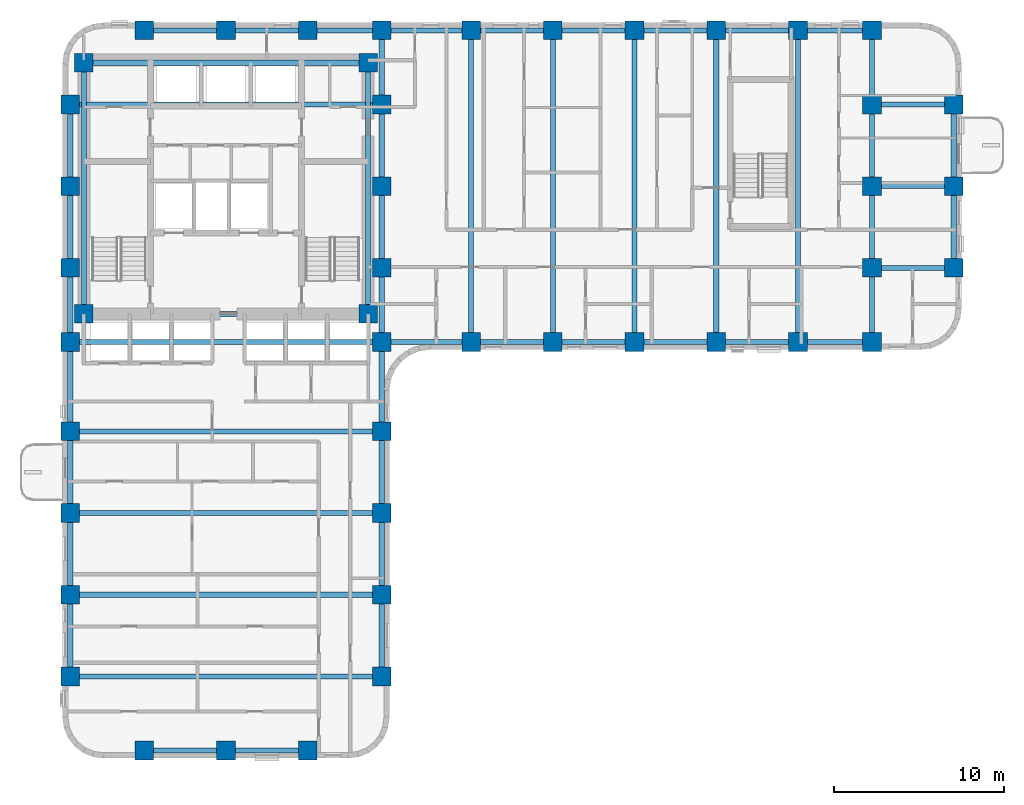
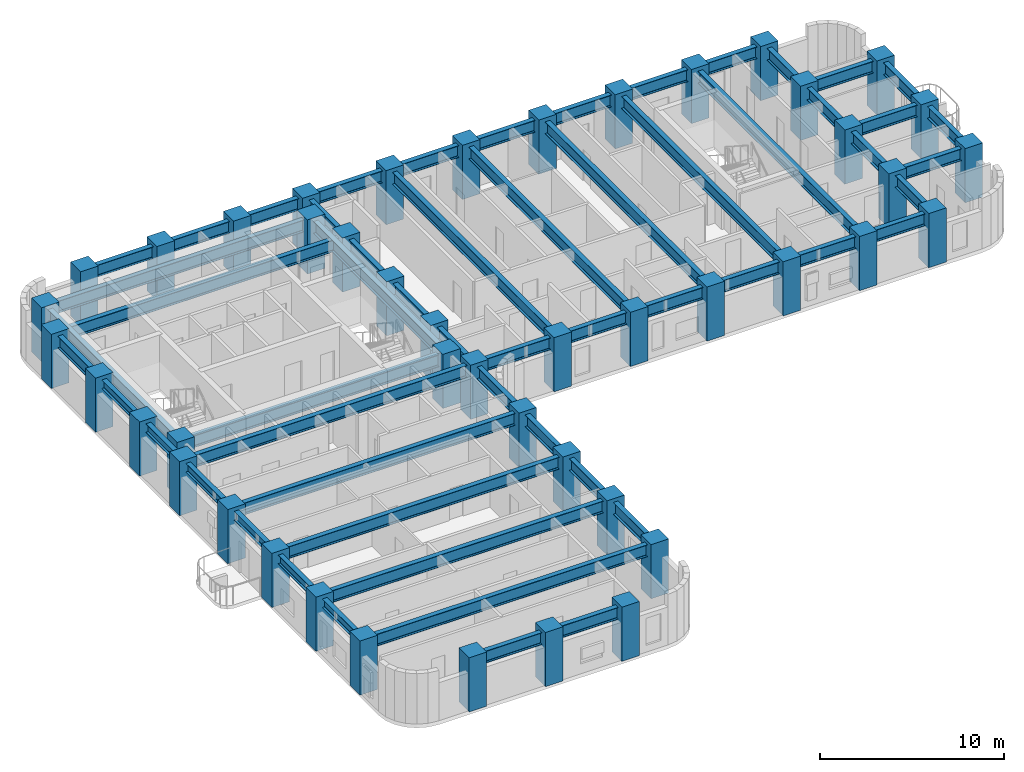
# One storey, part 1 of 11: 56 beams, 45 columns.
"""IFC4 building model written with IfcOpenShell, lengths in metres."""

import ifcopenshell
import ifcopenshell.guid

model = None  # the IFC model being written
_history = None  # IfcOwnerHistory: only IFC2X3 demands one
_inside = {}  # id of a spatial element -> (the spatial element, [elements in it])
_under = {}  # id of a project, library or spatial element -> (it, [spatial elements below it])
_declared = {}  # id of a project -> (the project, [libraries it declares])
_typed = {}  # id of a type object -> (the type object, [elements of that type])
_made_of = {}  # id of a material, layer set ... -> (it, [elements and type objects made of it])


def new_model(schema):
    """Start an empty IFC model of exactly this schema.

    Asked for "IFC4X3", IfcOpenShell would pick the latest addendum, in which some entities
    have other attributes; the version numbers below select the first issue.
    IFC2X3 requires an IfcOwnerHistory on every rooted entity: one is made here for all.
    """
    global model, _history
    if schema == "IFC4X3":
        model = ifcopenshell.file(schema_version=(4, 3, 0, 0))
    else:
        model = ifcopenshell.file(schema=schema)
    _inside.clear()
    _under.clear()
    _declared.clear()
    _typed.clear()
    _made_of.clear()
    _history = None
    if model.schema == "IFC2X3":
        org = make("IfcOrganization", Name="unknown")
        user = make(
            "IfcPersonAndOrganization",
            ThePerson=make("IfcPerson", FamilyName="unknown"),
            TheOrganization=org,
        )
        app = make(
            "IfcApplication",
            ApplicationDeveloper=org,
            Version="unknown",
            ApplicationFullName="unknown",
            ApplicationIdentifier="unknown",
        )
        _history = make(
            "IfcOwnerHistory",
            OwningUser=user,
            OwningApplication=app,
            ChangeAction="ADDED",
            CreationDate=0,
        )
    return model


def make(cls, **values):
    """One entity of the class cls with the attributes given. An attribute that is None is left unset."""
    return model.create_entity(
        cls, **{name: value for name, value in values.items() if value is not None}
    )


def rooted(cls, **values):
    """An entity with a GlobalId (a new one), such as an element, a storey or a relation."""
    return make(cls, GlobalId=ifcopenshell.guid.new(), OwnerHistory=_history, **values)


def si_unit(unit_type, name, prefix=None):
    """IfcSIUnit, for example si_unit("LENGTHUNIT", "METRE", prefix="MILLI")."""
    return make("IfcSIUnit", UnitType=unit_type, Prefix=prefix, Name=name)


def assignment(units):
    """IfcUnitAssignment: the units of a project."""
    return None if units is None else make("IfcUnitAssignment", Units=units)


def point(xyz):
    """IfcCartesianPoint."""
    return None if xyz is None else make("IfcCartesianPoint", Coordinates=xyz)


def direction(xyz):
    """IfcDirection."""
    return None if xyz is None else make("IfcDirection", DirectionRatios=xyz)


def frame(location, z_axis=None, x_axis=None):
    """IfcAxis2Placement3D, a coordinate frame: its origin and axes. An axis left out is left unset."""
    return make(
        "IfcAxis2Placement3D",
        Location=point(location),
        Axis=direction(z_axis),
        RefDirection=direction(x_axis),
    )


def frame_2d(location, x_axis=None):
    """IfcAxis2Placement2D, a coordinate frame in the plane: its origin and x axis."""
    return make(
        "IfcAxis2Placement2D", Location=point(location), RefDirection=direction(x_axis)
    )


def origin():
    """The frame at (0, 0, 0) with its axes left unset."""
    return frame((0.0, 0.0, 0.0))


def origin_2d():
    """The frame at (0, 0) in the plane with its x axis left unset."""
    return frame_2d((0.0, 0.0))


def place(relative_to, where):
    """IfcLocalPlacement: puts the frame where relative to a parent placement (None: the world)."""
    return make(
        "IfcLocalPlacement", PlacementRelTo=relative_to, RelativePlacement=where
    )


def context(
    kind, dimensions, precision=None, world=None, true_north=None, identifier=None
):
    """IfcGeometricRepresentationContext, for example the 3D "Model" context."""
    return make(
        "IfcGeometricRepresentationContext",
        ContextIdentifier=identifier,
        ContextType=kind,
        CoordinateSpaceDimension=dimensions,
        Precision=precision,
        WorldCoordinateSystem=world,
        TrueNorth=true_north,
    )


def subcontext(parent, identifier, kind, view, scale=None):
    """IfcGeometricRepresentationSubContext, for example "Body" below "Model"."""
    return make(
        "IfcGeometricRepresentationSubContext",
        ContextIdentifier=identifier,
        ContextType=kind,
        ParentContext=parent,
        TargetScale=scale,
        TargetView=view,
    )


def project(units=None, contexts=None):
    """IfcProject with its units and contexts."""
    return rooted(
        "IfcProject",
        Name="project",
        RepresentationContexts=contexts,
        UnitsInContext=assignment(units),
    )


def spatial(cls, under=None, at=None, **own):
    """A site, building, storey or space (cls), placed at a placement, below another one or the project."""
    s = rooted(cls, ObjectPlacement=at, **own)
    if under is not None:
        _under.setdefault(under.id(), (under, []))[1].append(s)
    return s


def profile(cls, at=None, kind="AREA", **sizes):
    """A parametric profile (cls). Its sizes go by their IFC names, for example OverallWidth=200.0."""
    return make(cls, ProfileType=kind, Position=at, **sizes)


def rectangle(**sizes):
    """IfcRectangleProfileDef."""
    return profile("IfcRectangleProfileDef", **sizes)


def i_section(**sizes):
    """IfcIShapeProfileDef."""
    return profile("IfcIShapeProfileDef", **sizes)


def extrude(swept, where, along, depth):
    """IfcExtrudedAreaSolid: the profile swept, set in the frame where, extruded along a direction by depth."""
    return make(
        "IfcExtrudedAreaSolid",
        SweptArea=swept,
        Position=where,
        ExtrudedDirection=direction(along),
        Depth=depth,
    )


def shape(context_of_items, identifier, shape_type, items):
    """IfcShapeRepresentation: the items that make up one representation, for example the "Body"."""
    return make(
        "IfcShapeRepresentation",
        ContextOfItems=context_of_items,
        RepresentationIdentifier=identifier,
        RepresentationType=shape_type,
        Items=items,
    )


def material(Name=None, Category=None):
    """IfcMaterial."""
    return make("IfcMaterial", Name=Name, Category=Category)


def material_profile(
    of_material, cross_section, Name=None, Category=None, Priority=None
):
    """IfcMaterialProfile: a cross section and its material."""
    return make(
        "IfcMaterialProfile",
        Name=Name,
        Material=of_material,
        Profile=cross_section,
        Priority=Priority,
        Category=Category,
    )


def profile_set(profiles, Name=None, composite=None):
    """IfcMaterialProfileSet."""
    return make(
        "IfcMaterialProfileSet",
        Name=Name,
        MaterialProfiles=profiles,
        CompositeProfile=composite,
    )


def made_of(thing, what):
    """Note that an element or type object is made of a material, layer set ...; save() writes the relation."""
    if what is not None:
        _made_of.setdefault(what.id(), (what, []))[1].append(thing)
    return thing


def type_object(cls, material=None, **own):
    """A type object (cls), such as IfcWallType, which elements share."""
    return made_of(rooted(cls, **own), material)


def element(
    cls,
    number,
    at=None,
    inside=None,
    cuts=None,
    type_object=None,
    material=None,
    context=None,
    identifier="Body",
    shape_type=None,
    held_by="IfcProductDefinitionShape",
    body=None,
    shapes=None,
    **own,
):
    """One element of the class cls, such as IfcWall. Its Tag is "e" and its number.

    at: its placement. inside: the storey or other place that contains it. cuts: it is an
    opening in that element (IfcRelVoidsElement). A single representation is given by context,
    identifier, shape_type and body (its items); several are given by shapes. held_by: the class
    of the entity that holds the representations. save() writes the other relations.
    """
    e = rooted(cls, Tag="e%d" % number, ObjectPlacement=at, **own)
    if body is not None:
        shapes = [shape(context, identifier, shape_type, body)]
    if shapes is not None:
        e.Representation = make(held_by, Representations=shapes)
    if inside is not None:
        _inside.setdefault(inside.id(), (inside, []))[1].append(e)
    if cuts is not None:
        rooted(
            "IfcRelVoidsElement", RelatingBuildingElement=cuts, RelatedOpeningElement=e
        )
    if type_object is not None:
        _typed.setdefault(type_object.id(), (type_object, []))[1].append(e)
    return made_of(e, material)


def aggregate(whole, parts):
    """IfcRelAggregates: a whole, such as a stair, and the parts it consists of."""
    return rooted("IfcRelAggregates", RelatingObject=whole, RelatedObjects=parts)


def save(model, path):
    """Write the relations noted so far, then the file.

    IfcRelAggregates (storeys below a building ...), IfcRelContainedInSpatialStructure (elements
    in a storey), IfcRelDefinesByType, IfcRelAssociatesMaterial and IfcRelDeclares: one each for
    every whole, place, type object, material and project.
    """
    for whole, parts in _under.values():
        aggregate(whole, parts)
    for where, things in _inside.values():
        rooted(
            "IfcRelContainedInSpatialStructure",
            RelatedElements=things,
            RelatingStructure=where,
        )
    for kind, things in _typed.values():
        rooted("IfcRelDefinesByType", RelatedObjects=things, RelatingType=kind)
    for what, things in _made_of.values():
        rooted("IfcRelAssociatesMaterial", RelatedObjects=things, RelatingMaterial=what)
    for by, libraries in _declared.values():
        rooted("IfcRelDeclares", RelatingContext=by, RelatedDefinitions=libraries)
    model.write(path)


model = new_model("IFC4")

# Units and contexts
model_context = context("Model", 3, precision=1e-05, world=origin(), true_north=direction((0.0, 1.0)))
body_context = subcontext(model_context, "Body", "Model", "MODEL_VIEW")
ifc_project = project(units=[si_unit("LENGTHUNIT", "METRE"), si_unit("AREAUNIT", "SQUARE_METRE"), si_unit("VOLUMEUNIT", "CUBIC_METRE"), si_unit("PLANEANGLEUNIT", "RADIAN"), si_unit("MASSUNIT", "GRAM", prefix="KILO")], contexts=[model_context])

# Site, building, storey
site_placement = place(None, origin())
site = spatial("IfcSite", under=ifc_project, at=site_placement, CompositionType="ELEMENT")
building_placement = place(site_placement, origin())
building = spatial("IfcBuilding", under=site, at=building_placement, Name="Orvandelia Arch Residences", CompositionType="ELEMENT")
storey_placement = place(building_placement, frame((0.0, 0.0, 82.60009765625)))
storey = spatial("IfcBuildingStorey", under=building, at=storey_placement, Name="L21", CompositionType="ELEMENT", Elevation=82.60009765625)

# Columns
ifc_material_1 = material(Name="Concrete C80/95", Category="concrete")
ifc_material_profile_1 = material_profile(ifc_material_1, rectangle(XDim=1.10009765625, YDim=1.10009765625, at=origin_2d()), Name="Concrete C80/95", Category="concrete")
ifc_profile_set_1 = profile_set([ifc_material_profile_1], Name="Concrete C80/95")
column_type = type_object("IfcColumnType", Name="COL-TWR-1100", PredefinedType="COLUMN", material=ifc_profile_set_1)
for number, where, z_axis, x_axis, name in (
    (1, (5.25, 9.60009765625, 0.0), (0.0, 0.0, 1.0), (1.0, 0.0, 0.0), "Structural Column L21-W-W-96"),
    (2, (5.25, 14.39990234375, 0.0), (0.0, 0.0, 1.0), (1.0, 0.0, 0.0), "Structural Column L21-W-W-144"),
    (3, (5.25, 19.199951171875, 0.0), (0.0, 0.0, 1.0), (1.0, 0.0, 0.0), "Structural Column L21-W-W-192"),
    (4, (5.25, 24.0, 0.0), (0.0, 0.0, 1.0), (1.0, 0.0, 0.0), "Structural Column L21-W-W-240"),
    (5, (5.25, 29.25, 0.0), (0.0, 0.0, 1.0), (1.0, 0.0, 0.0), "Structural Column L21-W-W-292"),
    (6, (5.25, 33.60009765625, 0.0), (0.0, 0.0, 1.0), (1.0, 0.0, 0.0), "Structural Column L21-W-W-336"),
    (7, (5.25, 38.39990234375, 0.0), (0.0, 0.0, 1.0), (1.0, 0.0, 0.0), "Structural Column L21-W-W-384"),
    (8, (5.25, 43.199951171875, 0.0), (0.0, 0.0, 1.0), (1.0, 0.0, 0.0), "Structural Column L21-W-W-432"),
    (9, (6.050048828125, 30.89990234375, 0.0), (0.0, 0.0, 1.0), (1.0, 0.0, 0.0), "Structural Column L21-CR-SW"),
    (10, (6.050048828125, 45.64990234375, 0.0), (0.0, 0.0, 1.0), (1.0, 0.0, 0.0), "Structural Column L21-CR-NW"),
    (11, (9.60009765625, 5.25, 0.0), (0.0, 0.0, 1.0), (1.0, 0.0, 0.0), "Structural Column L21-W-S-96"),
    (12, (9.60009765625, 47.550048828125, 0.0), (0.0, 0.0, 1.0), (1.0, 0.0, 0.0), "Structural Column L21-W-N-96"),
    (13, (14.39990234375, 5.25, 0.0), (0.0, 0.0, 1.0), (1.0, 0.0, 0.0), "Structural Column L21-W-S-144"),
    (14, (14.39990234375, 47.550048828125, 0.0), (0.0, 0.0, 1.0), (1.0, 0.0, 0.0), "Structural Column L21-W-N-144"),
    (15, (19.199951171875, 5.25, 0.0), (0.0, 0.0, 1.0), (1.0, 0.0, 0.0), "Structural Column L21-W-S-192"),
    (16, (19.199951171875, 47.550048828125, 0.0), (0.0, 0.0, 1.0), (1.0, 0.0, 0.0), "Structural Column L21-W-N-192"),
    (17, (22.75, 30.89990234375, 0.0), (0.0, 0.0, 1.0), (1.0, 0.0, 0.0), "Structural Column L21-CR-SE"),
    (18, (22.75, 45.64990234375, 0.0), (0.0, 0.0, 1.0), (1.0, 0.0, 0.0), "Structural Column L21-CR-NE"),
    (19, (23.550048828125, 9.60009765625, 0.0), (0.0, 0.0, 1.0), (1.0, 0.0, 0.0), "Structural Column L21-W-E-96"),
    (20, (23.550048828125, 14.39990234375, 0.0), (0.0, 0.0, 1.0), (1.0, 0.0, 0.0), "Structural Column L21-W-E-144"),
    (21, (23.550048828125, 19.199951171875, 0.0), (0.0, 0.0, 1.0), (1.0, 0.0, 0.0), "Structural Column L21-W-E-192"),
    (22, (23.550048828125, 24.0, 0.0), (0.0, 0.0, 1.0), (1.0, 0.0, 0.0), "Structural Column L21-W-E-240"),
    (23, (23.550048828125, 29.25, 0.0), (0.0, 0.0, 1.0), (1.0, 0.0, 0.0), "Structural Column L21-W-E-292"),
    (24, (23.550048828125, 33.60009765625, 0.0), (0.0, 0.0, 1.0), (1.0, 0.0, 0.0), "Structural Column L21-W-E-336"),
    (25, (23.550048828125, 38.39990234375, 0.0), (0.0, 0.0, 1.0), (1.0, 0.0, 0.0), "Structural Column L21-W-E-384"),
    (26, (23.550048828125, 43.199951171875, 0.0), (0.0, 0.0, 1.0), (1.0, 0.0, 0.0), "Structural Column L21-W-E-432"),
    (27, (23.550048828125, 47.550048828125, 0.0), (0.0, 0.0, 1.0), (1.0, 0.0, 0.0), "Structural Column L21-W-N-235"),
    (28, (28.800048828125, 29.25, 0.0), (0.0, 0.0, 1.0), (1.0, 0.0, 0.0), "Structural Column L21-E-S-288"),
    (29, (28.800048828125, 47.550048828125, 0.0), (0.0, 0.0, 1.0), (1.0, 0.0, 0.0), "Structural Column L21-E-N-288"),
    (30, (33.60009765625, 29.25, 0.0), (0.0, 0.0, 1.0), (1.0, 0.0, 0.0), "Structural Column L21-E-S-336"),
    (31, (33.60009765625, 47.550048828125, 0.0), (0.0, 0.0, 1.0), (1.0, 0.0, 0.0), "Structural Column L21-E-N-336"),
    (32, (38.39990234375, 29.25, 0.0), (0.0, 0.0, 1.0), (1.0, 0.0, 0.0), "Structural Column L21-E-S-384"),
    (33, (38.39990234375, 47.550048828125, 0.0), (0.0, 0.0, 1.0), (1.0, 0.0, 0.0), "Structural Column L21-E-N-384"),
    (34, (43.199951171875, 29.25, 0.0), (0.0, 0.0, 1.0), (1.0, 0.0, 0.0), "Structural Column L21-E-S-432"),
    (35, (43.199951171875, 47.550048828125, 0.0), (0.0, 0.0, 1.0), (1.0, 0.0, 0.0), "Structural Column L21-E-N-432"),
    (36, (48.0, 29.25, 0.0), (0.0, 0.0, 1.0), (1.0, 0.0, 0.0), "Structural Column L21-E-S-480"),
    (37, (48.0, 47.550048828125, 0.0), (0.0, 0.0, 1.0), (1.0, 0.0, 0.0), "Structural Column L21-E-N-480"),
    (38, (52.35009765625, 29.25, 0.0), (0.0, 0.0, 1.0), (1.0, 0.0, 0.0), "Structural Column L21-E-S-523"),
    (39, (52.35009765625, 33.60009765625, 0.0), (0.0, 0.0, 1.0), (1.0, 0.0, 0.0), "Structural Column L21-E-523-336"),
    (40, (52.35009765625, 38.39990234375, 0.0), (0.0, 0.0, 1.0), (1.0, 0.0, 0.0), "Structural Column L21-E-523-384"),
    (41, (52.35009765625, 43.199951171875, 0.0), (0.0, 0.0, 1.0), (1.0, 0.0, 0.0), "Structural Column L21-E-523-432"),
    (42, (52.35009765625, 47.550048828125, 0.0), (0.0, 0.0, 1.0), (1.0, 0.0, 0.0), "Structural Column L21-E-N-523"),
    (43, (57.14990234375, 33.60009765625, 0.0), (0.0, 0.0, 1.0), (1.0, 0.0, 0.0), "Structural Column L21-E-571-336"),
    (44, (57.14990234375, 38.39990234375, 0.0), (0.0, 0.0, 1.0), (1.0, 0.0, 0.0), "Structural Column L21-E-571-384"),
    (45, (57.14990234375, 43.199951171875, 0.0), (0.0, 0.0, 1.0), (1.0, 0.0, 0.0), "Structural Column L21-E-571-432"),
):
    element("IfcColumn", number, at=place(storey_placement, frame(where, z_axis=z_axis, x_axis=x_axis)), inside=storey, type_object=column_type, Name=name, PredefinedType="COLUMN", context=body_context, shape_type="SweptSolid", body=[
        extrude(rectangle(XDim=1.10009765625, YDim=1.10009765625, at=origin_2d()), origin(), (0.0, 0.0, 1.0), 3.599853515625),
    ])

# Beams
ifc_material_2 = material(Name="Structural Steel SM355 (355 MPa)", Category="steel")
ifc_material_profile_2 = material_profile(ifc_material_2, i_section(OverallWidth=0.300048828125, OverallDepth=0.800048828125, WebThickness=0.013916015625, FlangeThickness=0.02587890625, FilletRadius=0.02587890625, at=origin_2d()), Name="Structural Steel SM355 (355 MPa)", Category="steel")
ifc_profile_set_2 = profile_set([ifc_material_profile_2], Name="Structural Steel SM355 (355 MPa)")
beam_type_1 = type_object("IfcBeamType", Name="BM-GRD-H800", PredefinedType="BEAM", material=ifc_profile_set_2)
beam_1_placement = place(storey_placement, frame((5.25, 38.39990234375, 2.949951171875), z_axis=(0.0, 1.0, 0.0), x_axis=(-1.0, 0.0, 0.0)))
element("IfcBeam", 46, at=beam_1_placement, inside=storey, type_object=beam_type_1, Name="Structural Frame Beam L21-NS-007", PredefinedType="BEAM", context=body_context, shape_type="SweptSolid", body=[
    extrude(i_section(OverallWidth=0.300048828125, OverallDepth=0.800048828125, WebThickness=0.013916015625, FlangeThickness=0.02587890625, FilletRadius=0.02587890625, at=origin_2d()), origin(), (0.0, 0.0, 1.0), 4.800048828125),
])
for number, where, z_axis, x_axis, name in (
    (47, (6.050048828125, 30.89990234375, 2.949951171875), (0.0, 1.0, 0.0), (-1.0, 0.0, 0.0), "Structural Frame Beam L21-NS-008"),
    (48, (22.75, 30.89990234375, 2.949951171875), (0.0, 1.0, 0.0), (-1.0, 0.0, 0.0), "Structural Frame Beam L21-NS-009"),
):
    element("IfcBeam", number, at=place(storey_placement, frame(where, z_axis=z_axis, x_axis=x_axis)), inside=storey, type_object=beam_type_1, Name=name, PredefinedType="BEAM", context=body_context, shape_type="SweptSolid", body=[
        extrude(i_section(OverallWidth=0.300048828125, OverallDepth=0.800048828125, WebThickness=0.013916015625, FlangeThickness=0.02587890625, FilletRadius=0.02587890625, at=origin_2d()), origin(), (0.0, 0.0, 1.0), 14.75),
    ])
beam_2_placement = place(storey_placement, frame((23.550048828125, 9.60009765625, 2.949951171875), z_axis=(0.0, 1.0, 0.0), x_axis=(-1.0, 0.0, 0.0)))
element("IfcBeam", 49, at=beam_2_placement, inside=storey, type_object=beam_type_1, Name="Structural Frame Beam L21-NS-010", PredefinedType="BEAM", context=body_context, shape_type="SweptSolid", body=[
    extrude(i_section(OverallWidth=0.300048828125, OverallDepth=0.800048828125, WebThickness=0.013916015625, FlangeThickness=0.02587890625, FilletRadius=0.02587890625, at=origin_2d()), origin(), (0.0, 0.0, 1.0), 4.7998046875),
])
for number, where, z_axis, x_axis, name in (
    (50, (23.550048828125, 14.39990234375, 2.949951171875), (0.0, 1.0, 0.0), (-1.0, 0.0, 0.0), "Structural Frame Beam L21-NS-011"),
    (51, (23.550048828125, 19.199951171875, 2.949951171875), (0.0, 1.0, 0.0), (-1.0, 0.0, 0.0), "Structural Frame Beam L21-NS-012"),
):
    element("IfcBeam", number, at=place(storey_placement, frame(where, z_axis=z_axis, x_axis=x_axis)), inside=storey, type_object=beam_type_1, Name=name, PredefinedType="BEAM", context=body_context, shape_type="SweptSolid", body=[
        extrude(i_section(OverallWidth=0.300048828125, OverallDepth=0.800048828125, WebThickness=0.013916015625, FlangeThickness=0.02587890625, FilletRadius=0.02587890625, at=origin_2d()), origin(), (0.0, 0.0, 1.0), 4.800048828125),
    ])
beam_3_placement = place(storey_placement, frame((23.550048828125, 24.0, 2.949951171875), z_axis=(0.0, 1.0, 0.0), x_axis=(-1.0, 0.0, 0.0)))
element("IfcBeam", 52, at=beam_3_placement, inside=storey, type_object=beam_type_1, Name="Structural Frame Beam L21-NS-013", PredefinedType="BEAM", context=body_context, shape_type="SweptSolid", body=[
    extrude(i_section(OverallWidth=0.300048828125, OverallDepth=0.800048828125, WebThickness=0.013916015625, FlangeThickness=0.02587890625, FilletRadius=0.02587890625, at=origin_2d()), origin(), (0.0, 0.0, 1.0), 5.25),
])
beam_4_placement = place(storey_placement, frame((23.550048828125, 29.25, 2.949951171875), z_axis=(0.0, 1.0, 0.0), x_axis=(-1.0, 0.0, 0.0)))
element("IfcBeam", 53, at=beam_4_placement, inside=storey, type_object=beam_type_1, Name="Structural Frame Beam L21-NS-014", PredefinedType="BEAM", context=body_context, shape_type="SweptSolid", body=[
    extrude(i_section(OverallWidth=0.300048828125, OverallDepth=0.800048828125, WebThickness=0.013916015625, FlangeThickness=0.02587890625, FilletRadius=0.02587890625, at=origin_2d()), origin(), (0.0, 0.0, 1.0), 4.35009765625),
])
beam_5_placement = place(storey_placement, frame((23.550048828125, 33.60009765625, 2.949951171875), z_axis=(0.0, 1.0, 0.0), x_axis=(-1.0, 0.0, 0.0)))
element("IfcBeam", 54, at=beam_5_placement, inside=storey, type_object=beam_type_1, Name="Structural Frame Beam L21-NS-015", PredefinedType="BEAM", context=body_context, shape_type="SweptSolid", body=[
    extrude(i_section(OverallWidth=0.300048828125, OverallDepth=0.800048828125, WebThickness=0.013916015625, FlangeThickness=0.02587890625, FilletRadius=0.02587890625, at=origin_2d()), origin(), (0.0, 0.0, 1.0), 4.7998046875),
])
beam_6_placement = place(storey_placement, frame((23.550048828125, 38.39990234375, 2.949951171875), z_axis=(0.0, 1.0, 0.0), x_axis=(-1.0, 0.0, 0.0)))
element("IfcBeam", 55, at=beam_6_placement, inside=storey, type_object=beam_type_1, Name="Structural Frame Beam L21-NS-016", PredefinedType="BEAM", context=body_context, shape_type="SweptSolid", body=[
    extrude(i_section(OverallWidth=0.300048828125, OverallDepth=0.800048828125, WebThickness=0.013916015625, FlangeThickness=0.02587890625, FilletRadius=0.02587890625, at=origin_2d()), origin(), (0.0, 0.0, 1.0), 4.800048828125),
])
beam_7_placement = place(storey_placement, frame((23.550048828125, 43.199951171875, 2.949951171875), z_axis=(0.0, 1.0, 0.0), x_axis=(-1.0, 0.0, 0.0)))
element("IfcBeam", 56, at=beam_7_placement, inside=storey, type_object=beam_type_1, Name="Structural Frame Beam L21-NS-017", PredefinedType="BEAM", context=body_context, shape_type="SweptSolid", body=[
    extrude(i_section(OverallWidth=0.300048828125, OverallDepth=0.800048828125, WebThickness=0.013916015625, FlangeThickness=0.02587890625, FilletRadius=0.02587890625, at=origin_2d()), origin(), (0.0, 0.0, 1.0), 4.35009765625),
])
for number, where, z_axis, x_axis, name in (
    (57, (28.800048828125, 29.25, 2.949951171875), (0.0, 1.0, 0.0), (-1.0, 0.0, 0.0), "Structural Frame Beam L21-NS-018"),
    (58, (33.60009765625, 29.25, 2.949951171875), (0.0, 1.0, 0.0), (-1.0, 0.0, 0.0), "Structural Frame Beam L21-NS-019"),
    (59, (38.39990234375, 29.25, 2.949951171875), (0.0, 1.0, 0.0), (-1.0, 0.0, 0.0), "Structural Frame Beam L21-NS-020"),
    (60, (43.199951171875, 29.25, 2.949951171875), (0.0, 1.0, 0.0), (-1.0, 0.0, 0.0), "Structural Frame Beam L21-NS-021"),
    (61, (48.0, 29.25, 2.949951171875), (0.0, 1.0, 0.0), (-1.0, 0.0, 0.0), "Structural Frame Beam L21-NS-022"),
):
    element("IfcBeam", number, at=place(storey_placement, frame(where, z_axis=z_axis, x_axis=x_axis)), inside=storey, type_object=beam_type_1, Name=name, PredefinedType="BEAM", context=body_context, shape_type="SweptSolid", body=[
        extrude(i_section(OverallWidth=0.300048828125, OverallDepth=0.800048828125, WebThickness=0.013916015625, FlangeThickness=0.02587890625, FilletRadius=0.02587890625, at=origin_2d()), origin(), (0.0, 0.0, 1.0), 18.300048828125),
    ])
beam_8_placement = place(storey_placement, frame((52.35009765625, 29.25, 2.949951171875), z_axis=(0.0, 1.0, 0.0), x_axis=(-1.0, 0.0, 0.0)))
element("IfcBeam", 62, at=beam_8_placement, inside=storey, type_object=beam_type_1, Name="Structural Frame Beam L21-NS-023", PredefinedType="BEAM", context=body_context, shape_type="SweptSolid", body=[
    extrude(i_section(OverallWidth=0.300048828125, OverallDepth=0.800048828125, WebThickness=0.013916015625, FlangeThickness=0.02587890625, FilletRadius=0.02587890625, at=origin_2d()), origin(), (0.0, 0.0, 1.0), 4.35009765625),
])
beam_9_placement = place(storey_placement, frame((52.35009765625, 33.60009765625, 2.949951171875), z_axis=(0.0, 1.0, 0.0), x_axis=(-1.0, 0.0, 0.0)))
element("IfcBeam", 63, at=beam_9_placement, inside=storey, type_object=beam_type_1, Name="Structural Frame Beam L21-NS-024", PredefinedType="BEAM", context=body_context, shape_type="SweptSolid", body=[
    extrude(i_section(OverallWidth=0.300048828125, OverallDepth=0.800048828125, WebThickness=0.013916015625, FlangeThickness=0.02587890625, FilletRadius=0.02587890625, at=origin_2d()), origin(), (0.0, 0.0, 1.0), 4.7998046875),
])
beam_10_placement = place(storey_placement, frame((52.35009765625, 38.39990234375, 2.949951171875), z_axis=(0.0, 1.0, 0.0), x_axis=(-1.0, 0.0, 0.0)))
element("IfcBeam", 64, at=beam_10_placement, inside=storey, type_object=beam_type_1, Name="Structural Frame Beam L21-NS-025", PredefinedType="BEAM", context=body_context, shape_type="SweptSolid", body=[
    extrude(i_section(OverallWidth=0.300048828125, OverallDepth=0.800048828125, WebThickness=0.013916015625, FlangeThickness=0.02587890625, FilletRadius=0.02587890625, at=origin_2d()), origin(), (0.0, 0.0, 1.0), 4.800048828125),
])
beam_11_placement = place(storey_placement, frame((52.35009765625, 43.199951171875, 2.949951171875), z_axis=(0.0, 1.0, 0.0), x_axis=(-1.0, 0.0, 0.0)))
element("IfcBeam", 65, at=beam_11_placement, inside=storey, type_object=beam_type_1, Name="Structural Frame Beam L21-NS-026", PredefinedType="BEAM", context=body_context, shape_type="SweptSolid", body=[
    extrude(i_section(OverallWidth=0.300048828125, OverallDepth=0.800048828125, WebThickness=0.013916015625, FlangeThickness=0.02587890625, FilletRadius=0.02587890625, at=origin_2d()), origin(), (0.0, 0.0, 1.0), 4.35009765625),
])
beam_12_placement = place(storey_placement, frame((57.14990234375, 33.60009765625, 2.949951171875), z_axis=(0.0, 1.0, 0.0), x_axis=(-1.0, 0.0, 0.0)))
element("IfcBeam", 66, at=beam_12_placement, inside=storey, type_object=beam_type_1, Name="Structural Frame Beam L21-NS-027", PredefinedType="BEAM", context=body_context, shape_type="SweptSolid", body=[
    extrude(i_section(OverallWidth=0.300048828125, OverallDepth=0.800048828125, WebThickness=0.013916015625, FlangeThickness=0.02587890625, FilletRadius=0.02587890625, at=origin_2d()), origin(), (0.0, 0.0, 1.0), 4.7998046875),
])
beam_13_placement = place(storey_placement, frame((57.14990234375, 38.39990234375, 2.949951171875), z_axis=(0.0, 1.0, 0.0), x_axis=(-1.0, 0.0, 0.0)))
element("IfcBeam", 67, at=beam_13_placement, inside=storey, type_object=beam_type_1, Name="Structural Frame Beam L21-NS-028", PredefinedType="BEAM", context=body_context, shape_type="SweptSolid", body=[
    extrude(i_section(OverallWidth=0.300048828125, OverallDepth=0.800048828125, WebThickness=0.013916015625, FlangeThickness=0.02587890625, FilletRadius=0.02587890625, at=origin_2d()), origin(), (0.0, 0.0, 1.0), 4.800048828125),
])
beam_14_placement = place(storey_placement, frame((9.60009765625, 5.25, 2.949951171875), z_axis=(1.0, 0.0, 0.0), x_axis=(0.0, 1.0, 0.0)))
element("IfcBeam", 68, at=beam_14_placement, inside=storey, type_object=beam_type_1, Name="Structural Frame Girder L21-EW-029", PredefinedType="BEAM", context=body_context, shape_type="SweptSolid", body=[
    extrude(i_section(OverallWidth=0.300048828125, OverallDepth=0.800048828125, WebThickness=0.013916015625, FlangeThickness=0.02587890625, FilletRadius=0.02587890625, at=origin_2d()), origin(), (0.0, 0.0, 1.0), 4.7998046875),
])
beam_15_placement = place(storey_placement, frame((14.39990234375, 5.25, 2.949951171875), z_axis=(1.0, 0.0, 0.0), x_axis=(0.0, 1.0, 0.0)))
element("IfcBeam", 69, at=beam_15_placement, inside=storey, type_object=beam_type_1, Name="Structural Frame Girder L21-EW-030", PredefinedType="BEAM", context=body_context, shape_type="SweptSolid", body=[
    extrude(i_section(OverallWidth=0.300048828125, OverallDepth=0.800048828125, WebThickness=0.013916015625, FlangeThickness=0.02587890625, FilletRadius=0.02587890625, at=origin_2d()), origin(), (0.0, 0.0, 1.0), 4.800048828125),
])
for number, where, z_axis, x_axis, name in (
    (70, (5.25, 9.60009765625, 2.949951171875), (1.0, 0.0, 0.0), (0.0, 1.0, 0.0), "Structural Frame Girder L21-EW-031"),
    (71, (5.25, 14.39990234375, 2.949951171875), (1.0, 0.0, 0.0), (0.0, 1.0, 0.0), "Structural Frame Girder L21-EW-032"),
    (72, (5.25, 19.199951171875, 2.949951171875), (1.0, 0.0, 0.0), (0.0, 1.0, 0.0), "Structural Frame Girder L21-EW-033"),
    (73, (5.25, 24.0, 2.949951171875), (1.0, 0.0, 0.0), (0.0, 1.0, 0.0), "Structural Frame Girder L21-EW-034"),
    (74, (5.25, 29.25, 2.949951171875), (1.0, 0.0, 0.0), (0.0, 1.0, 0.0), "Structural Frame Girder L21-EW-035"),
):
    element("IfcBeam", number, at=place(storey_placement, frame(where, z_axis=z_axis, x_axis=x_axis)), inside=storey, type_object=beam_type_1, Name=name, PredefinedType="BEAM", context=body_context, shape_type="SweptSolid", body=[
        extrude(i_section(OverallWidth=0.300048828125, OverallDepth=0.800048828125, WebThickness=0.013916015625, FlangeThickness=0.02587890625, FilletRadius=0.02587890625, at=origin_2d()), origin(), (0.0, 0.0, 1.0), 18.300048828125),
    ])
beam_16_placement = place(storey_placement, frame((23.550048828125, 29.25, 2.949951171875), z_axis=(1.0, 0.0, 0.0), x_axis=(0.0, 1.0, 0.0)))
element("IfcBeam", 75, at=beam_16_placement, inside=storey, type_object=beam_type_1, Name="Structural Frame Girder L21-EW-036", PredefinedType="BEAM", context=body_context, shape_type="SweptSolid", body=[
    extrude(i_section(OverallWidth=0.300048828125, OverallDepth=0.800048828125, WebThickness=0.013916015625, FlangeThickness=0.02587890625, FilletRadius=0.02587890625, at=origin_2d()), origin(), (0.0, 0.0, 1.0), 5.25),
])
beam_17_placement = place(storey_placement, frame((28.800048828125, 29.25, 2.949951171875), z_axis=(1.0, 0.0, 0.0), x_axis=(0.0, 1.0, 0.0)))
element("IfcBeam", 76, at=beam_17_placement, inside=storey, type_object=beam_type_1, Name="Structural Frame Girder L21-EW-037", PredefinedType="BEAM", context=body_context, shape_type="SweptSolid", body=[
    extrude(i_section(OverallWidth=0.300048828125, OverallDepth=0.800048828125, WebThickness=0.013916015625, FlangeThickness=0.02587890625, FilletRadius=0.02587890625, at=origin_2d()), origin(), (0.0, 0.0, 1.0), 4.800048828125),
])
beam_18_placement = place(storey_placement, frame((33.60009765625, 29.25, 2.949951171875), z_axis=(1.0, 0.0, 0.0), x_axis=(0.0, 1.0, 0.0)))
element("IfcBeam", 77, at=beam_18_placement, inside=storey, type_object=beam_type_1, Name="Structural Frame Girder L21-EW-038", PredefinedType="BEAM", context=body_context, shape_type="SweptSolid", body=[
    extrude(i_section(OverallWidth=0.300048828125, OverallDepth=0.800048828125, WebThickness=0.013916015625, FlangeThickness=0.02587890625, FilletRadius=0.02587890625, at=origin_2d()), origin(), (0.0, 0.0, 1.0), 4.7998046875),
])
for number, where, z_axis, x_axis, name in (
    (78, (38.39990234375, 29.25, 2.949951171875), (1.0, 0.0, 0.0), (0.0, 1.0, 0.0), "Structural Frame Girder L21-EW-039"),
    (79, (43.199951171875, 29.25, 2.949951171875), (1.0, 0.0, 0.0), (0.0, 1.0, 0.0), "Structural Frame Girder L21-EW-040"),
):
    element("IfcBeam", number, at=place(storey_placement, frame(where, z_axis=z_axis, x_axis=x_axis)), inside=storey, type_object=beam_type_1, Name=name, PredefinedType="BEAM", context=body_context, shape_type="SweptSolid", body=[
        extrude(i_section(OverallWidth=0.300048828125, OverallDepth=0.800048828125, WebThickness=0.013916015625, FlangeThickness=0.02587890625, FilletRadius=0.02587890625, at=origin_2d()), origin(), (0.0, 0.0, 1.0), 4.800048828125),
    ])
beam_19_placement = place(storey_placement, frame((48.0, 29.25, 2.949951171875), z_axis=(1.0, 0.0, 0.0), x_axis=(0.0, 1.0, 0.0)))
element("IfcBeam", 80, at=beam_19_placement, inside=storey, type_object=beam_type_1, Name="Structural Frame Girder L21-EW-041", PredefinedType="BEAM", context=body_context, shape_type="SweptSolid", body=[
    extrude(i_section(OverallWidth=0.300048828125, OverallDepth=0.800048828125, WebThickness=0.013916015625, FlangeThickness=0.02587890625, FilletRadius=0.02587890625, at=origin_2d()), origin(), (0.0, 0.0, 1.0), 4.35009765625),
])
beam_20_placement = place(storey_placement, frame((6.050048828125, 30.89990234375, 2.949951171875), z_axis=(1.0, 0.0, 0.0), x_axis=(0.0, 1.0, 0.0)))
element("IfcBeam", 81, at=beam_20_placement, inside=storey, type_object=beam_type_1, Name="Structural Frame Girder L21-EW-042", PredefinedType="BEAM", context=body_context, shape_type="SweptSolid", body=[
    extrude(i_section(OverallWidth=0.300048828125, OverallDepth=0.800048828125, WebThickness=0.013916015625, FlangeThickness=0.02587890625, FilletRadius=0.02587890625, at=origin_2d()), origin(), (0.0, 0.0, 1.0), 16.699951171875),
])
for number, where, z_axis, x_axis, name in (
    (82, (52.35009765625, 33.60009765625, 2.949951171875), (1.0, 0.0, 0.0), (0.0, 1.0, 0.0), "Structural Frame Girder L21-EW-044"),
    (83, (52.35009765625, 38.39990234375, 2.949951171875), (1.0, 0.0, 0.0), (0.0, 1.0, 0.0), "Structural Frame Girder L21-EW-046"),
):
    element("IfcBeam", number, at=place(storey_placement, frame(where, z_axis=z_axis, x_axis=x_axis)), inside=storey, type_object=beam_type_1, Name=name, PredefinedType="BEAM", context=body_context, shape_type="SweptSolid", body=[
        extrude(i_section(OverallWidth=0.300048828125, OverallDepth=0.800048828125, WebThickness=0.013916015625, FlangeThickness=0.02587890625, FilletRadius=0.02587890625, at=origin_2d()), origin(), (0.0, 0.0, 1.0), 4.7998046875),
    ])
beam_21_placement = place(storey_placement, frame((5.25, 43.199951171875, 2.949951171875), z_axis=(1.0, 0.0, 0.0), x_axis=(0.0, 1.0, 0.0)))
element("IfcBeam", 84, at=beam_21_placement, inside=storey, type_object=beam_type_1, Name="Structural Frame Girder L21-EW-047", PredefinedType="BEAM", context=body_context, shape_type="SweptSolid", body=[
    extrude(i_section(OverallWidth=0.300048828125, OverallDepth=0.800048828125, WebThickness=0.013916015625, FlangeThickness=0.02587890625, FilletRadius=0.02587890625, at=origin_2d()), origin(), (0.0, 0.0, 1.0), 18.300048828125),
])
beam_22_placement = place(storey_placement, frame((52.35009765625, 43.199951171875, 2.949951171875), z_axis=(1.0, 0.0, 0.0), x_axis=(0.0, 1.0, 0.0)))
element("IfcBeam", 85, at=beam_22_placement, inside=storey, type_object=beam_type_1, Name="Structural Frame Girder L21-EW-048", PredefinedType="BEAM", context=body_context, shape_type="SweptSolid", body=[
    extrude(i_section(OverallWidth=0.300048828125, OverallDepth=0.800048828125, WebThickness=0.013916015625, FlangeThickness=0.02587890625, FilletRadius=0.02587890625, at=origin_2d()), origin(), (0.0, 0.0, 1.0), 4.7998046875),
])
beam_23_placement = place(storey_placement, frame((6.050048828125, 45.64990234375, 2.949951171875), z_axis=(1.0, 0.0, 0.0), x_axis=(0.0, 1.0, 0.0)))
element("IfcBeam", 86, at=beam_23_placement, inside=storey, type_object=beam_type_1, Name="Structural Frame Girder L21-EW-049", PredefinedType="BEAM", context=body_context, shape_type="SweptSolid", body=[
    extrude(i_section(OverallWidth=0.300048828125, OverallDepth=0.800048828125, WebThickness=0.013916015625, FlangeThickness=0.02587890625, FilletRadius=0.02587890625, at=origin_2d()), origin(), (0.0, 0.0, 1.0), 16.699951171875),
])
beam_24_placement = place(storey_placement, frame((9.60009765625, 47.550048828125, 2.949951171875), z_axis=(1.0, 0.0, 0.0), x_axis=(0.0, 1.0, 0.0)))
element("IfcBeam", 87, at=beam_24_placement, inside=storey, type_object=beam_type_1, Name="Structural Frame Girder L21-EW-050", PredefinedType="BEAM", context=body_context, shape_type="SweptSolid", body=[
    extrude(i_section(OverallWidth=0.300048828125, OverallDepth=0.800048828125, WebThickness=0.013916015625, FlangeThickness=0.02587890625, FilletRadius=0.02587890625, at=origin_2d()), origin(), (0.0, 0.0, 1.0), 4.7998046875),
])
beam_25_placement = place(storey_placement, frame((14.39990234375, 47.550048828125, 2.949951171875), z_axis=(1.0, 0.0, 0.0), x_axis=(0.0, 1.0, 0.0)))
element("IfcBeam", 88, at=beam_25_placement, inside=storey, type_object=beam_type_1, Name="Structural Frame Girder L21-EW-051", PredefinedType="BEAM", context=body_context, shape_type="SweptSolid", body=[
    extrude(i_section(OverallWidth=0.300048828125, OverallDepth=0.800048828125, WebThickness=0.013916015625, FlangeThickness=0.02587890625, FilletRadius=0.02587890625, at=origin_2d()), origin(), (0.0, 0.0, 1.0), 4.800048828125),
])
beam_26_placement = place(storey_placement, frame((19.199951171875, 47.550048828125, 2.949951171875), z_axis=(1.0, 0.0, 0.0), x_axis=(0.0, 1.0, 0.0)))
element("IfcBeam", 89, at=beam_26_placement, inside=storey, type_object=beam_type_1, Name="Structural Frame Girder L21-EW-052", PredefinedType="BEAM", context=body_context, shape_type="SweptSolid", body=[
    extrude(i_section(OverallWidth=0.300048828125, OverallDepth=0.800048828125, WebThickness=0.013916015625, FlangeThickness=0.02587890625, FilletRadius=0.02587890625, at=origin_2d()), origin(), (0.0, 0.0, 1.0), 4.35009765625),
])
beam_27_placement = place(storey_placement, frame((23.550048828125, 47.550048828125, 2.949951171875), z_axis=(1.0, 0.0, 0.0), x_axis=(0.0, 1.0, 0.0)))
element("IfcBeam", 90, at=beam_27_placement, inside=storey, type_object=beam_type_1, Name="Structural Frame Girder L21-EW-053", PredefinedType="BEAM", context=body_context, shape_type="SweptSolid", body=[
    extrude(i_section(OverallWidth=0.300048828125, OverallDepth=0.800048828125, WebThickness=0.013916015625, FlangeThickness=0.02587890625, FilletRadius=0.02587890625, at=origin_2d()), origin(), (0.0, 0.0, 1.0), 5.25),
])
beam_28_placement = place(storey_placement, frame((28.800048828125, 47.550048828125, 2.949951171875), z_axis=(1.0, 0.0, 0.0), x_axis=(0.0, 1.0, 0.0)))
element("IfcBeam", 91, at=beam_28_placement, inside=storey, type_object=beam_type_1, Name="Structural Frame Girder L21-EW-054", PredefinedType="BEAM", context=body_context, shape_type="SweptSolid", body=[
    extrude(i_section(OverallWidth=0.300048828125, OverallDepth=0.800048828125, WebThickness=0.013916015625, FlangeThickness=0.02587890625, FilletRadius=0.02587890625, at=origin_2d()), origin(), (0.0, 0.0, 1.0), 4.800048828125),
])
beam_29_placement = place(storey_placement, frame((33.60009765625, 47.550048828125, 2.949951171875), z_axis=(1.0, 0.0, 0.0), x_axis=(0.0, 1.0, 0.0)))
element("IfcBeam", 92, at=beam_29_placement, inside=storey, type_object=beam_type_1, Name="Structural Frame Girder L21-EW-055", PredefinedType="BEAM", context=body_context, shape_type="SweptSolid", body=[
    extrude(i_section(OverallWidth=0.300048828125, OverallDepth=0.800048828125, WebThickness=0.013916015625, FlangeThickness=0.02587890625, FilletRadius=0.02587890625, at=origin_2d()), origin(), (0.0, 0.0, 1.0), 4.7998046875),
])
for number, where, z_axis, x_axis, name in (
    (93, (38.39990234375, 47.550048828125, 2.949951171875), (1.0, 0.0, 0.0), (0.0, 1.0, 0.0), "Structural Frame Girder L21-EW-056"),
    (94, (43.199951171875, 47.550048828125, 2.949951171875), (1.0, 0.0, 0.0), (0.0, 1.0, 0.0), "Structural Frame Girder L21-EW-057"),
):
    element("IfcBeam", number, at=place(storey_placement, frame(where, z_axis=z_axis, x_axis=x_axis)), inside=storey, type_object=beam_type_1, Name=name, PredefinedType="BEAM", context=body_context, shape_type="SweptSolid", body=[
        extrude(i_section(OverallWidth=0.300048828125, OverallDepth=0.800048828125, WebThickness=0.013916015625, FlangeThickness=0.02587890625, FilletRadius=0.02587890625, at=origin_2d()), origin(), (0.0, 0.0, 1.0), 4.800048828125),
    ])
beam_30_placement = place(storey_placement, frame((48.0, 47.550048828125, 2.949951171875), z_axis=(1.0, 0.0, 0.0), x_axis=(0.0, 1.0, 0.0)))
element("IfcBeam", 95, at=beam_30_placement, inside=storey, type_object=beam_type_1, Name="Structural Frame Girder L21-EW-058", PredefinedType="BEAM", context=body_context, shape_type="SweptSolid", body=[
    extrude(i_section(OverallWidth=0.300048828125, OverallDepth=0.800048828125, WebThickness=0.013916015625, FlangeThickness=0.02587890625, FilletRadius=0.02587890625, at=origin_2d()), origin(), (0.0, 0.0, 1.0), 4.35009765625),
])
ifc_material_profile_3 = material_profile(ifc_material_2, i_section(OverallWidth=0.300048828125, OverallDepth=0.587890625, WebThickness=0.011962890625, FlangeThickness=0.02001953125, FilletRadius=0.02197265625, at=origin_2d()), Name="Structural Steel SM355 (355 MPa)", Category="steel")
ifc_profile_set_3 = profile_set([ifc_material_profile_3], Name="Structural Steel SM355 (355 MPa)")
beam_type_2 = type_object("IfcBeamType", Name="BM-SPN-H588", PredefinedType="SPANDREL", material=ifc_profile_set_3)
beam_31_placement = place(storey_placement, frame((5.25, 9.60009765625, 3.055908203125), z_axis=(0.0, 1.0, 0.0), x_axis=(-1.0, 0.0, 0.0)))
element("IfcBeam", 96, at=beam_31_placement, inside=storey, type_object=beam_type_2, Name="Structural Frame Beam L21-NS-001", PredefinedType="SPANDREL", context=body_context, shape_type="SweptSolid", body=[
    extrude(i_section(OverallWidth=0.300048828125, OverallDepth=0.587890625, WebThickness=0.011962890625, FlangeThickness=0.02001953125, FilletRadius=0.02197265625, at=origin_2d()), origin(), (0.0, 0.0, 1.0), 4.7998046875),
])
for number, where, z_axis, x_axis, name in (
    (97, (5.25, 14.39990234375, 3.055908203125), (0.0, 1.0, 0.0), (-1.0, 0.0, 0.0), "Structural Frame Beam L21-NS-002"),
    (98, (5.25, 19.199951171875, 3.055908203125), (0.0, 1.0, 0.0), (-1.0, 0.0, 0.0), "Structural Frame Beam L21-NS-003"),
):
    element("IfcBeam", number, at=place(storey_placement, frame(where, z_axis=z_axis, x_axis=x_axis)), inside=storey, type_object=beam_type_2, Name=name, PredefinedType="SPANDREL", context=body_context, shape_type="SweptSolid", body=[
        extrude(i_section(OverallWidth=0.300048828125, OverallDepth=0.587890625, WebThickness=0.011962890625, FlangeThickness=0.02001953125, FilletRadius=0.02197265625, at=origin_2d()), origin(), (0.0, 0.0, 1.0), 4.800048828125),
    ])
beam_32_placement = place(storey_placement, frame((5.25, 24.0, 3.055908203125), z_axis=(0.0, 1.0, 0.0), x_axis=(-1.0, 0.0, 0.0)))
element("IfcBeam", 99, at=beam_32_placement, inside=storey, type_object=beam_type_2, Name="Structural Frame Beam L21-NS-004", PredefinedType="SPANDREL", context=body_context, shape_type="SweptSolid", body=[
    extrude(i_section(OverallWidth=0.300048828125, OverallDepth=0.587890625, WebThickness=0.011962890625, FlangeThickness=0.02001953125, FilletRadius=0.02197265625, at=origin_2d()), origin(), (0.0, 0.0, 1.0), 5.25),
])
beam_33_placement = place(storey_placement, frame((5.25, 29.25, 3.055908203125), z_axis=(0.0, 1.0, 0.0), x_axis=(-1.0, 0.0, 0.0)))
element("IfcBeam", 100, at=beam_33_placement, inside=storey, type_object=beam_type_2, Name="Structural Frame Beam L21-NS-005", PredefinedType="SPANDREL", context=body_context, shape_type="SweptSolid", body=[
    extrude(i_section(OverallWidth=0.300048828125, OverallDepth=0.587890625, WebThickness=0.011962890625, FlangeThickness=0.02001953125, FilletRadius=0.02197265625, at=origin_2d()), origin(), (0.0, 0.0, 1.0), 4.35009765625),
])
beam_34_placement = place(storey_placement, frame((5.25, 33.60009765625, 3.055908203125), z_axis=(0.0, 1.0, 0.0), x_axis=(-1.0, 0.0, 0.0)))
element("IfcBeam", 101, at=beam_34_placement, inside=storey, type_object=beam_type_2, Name="Structural Frame Beam L21-NS-006", PredefinedType="SPANDREL", context=body_context, shape_type="SweptSolid", body=[
    extrude(i_section(OverallWidth=0.300048828125, OverallDepth=0.587890625, WebThickness=0.011962890625, FlangeThickness=0.02001953125, FilletRadius=0.02197265625, at=origin_2d()), origin(), (0.0, 0.0, 1.0), 4.7998046875),
])

save(model, "model.ifc")
